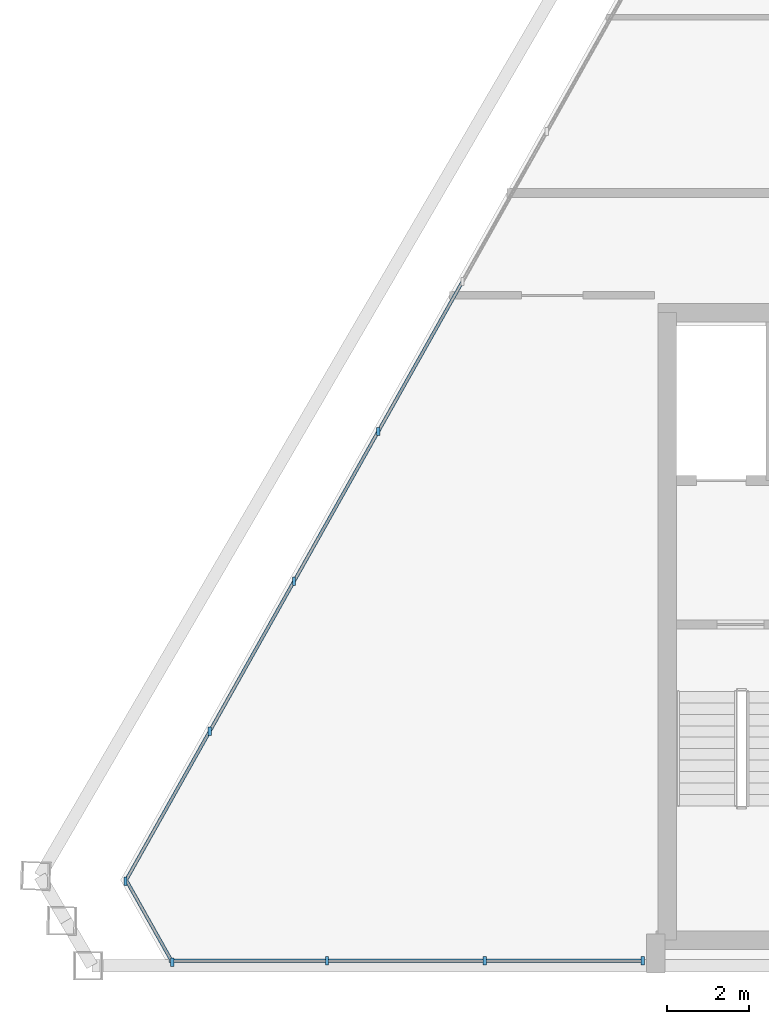
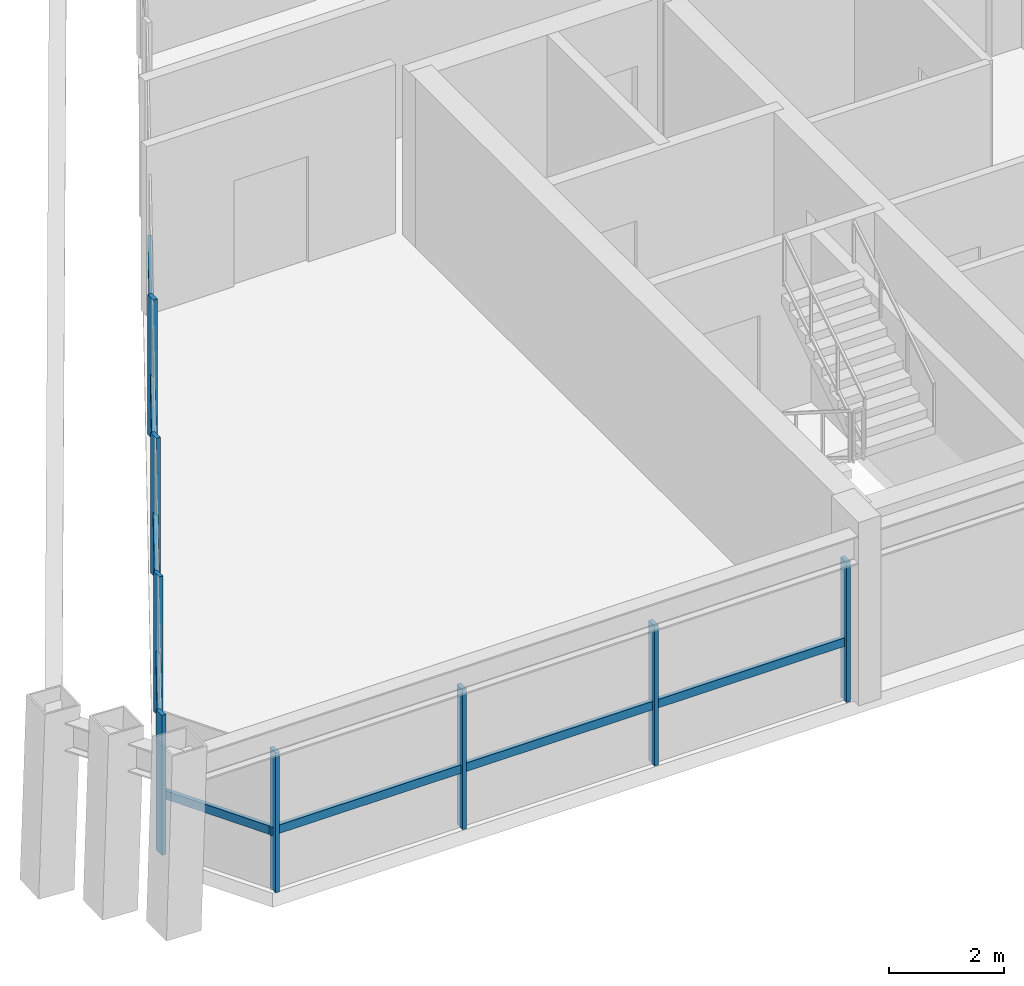
# One storey, part 2 of 12: 16 members, 3 elements without a shape of their own.
"""IFC4 building model written with IfcOpenShell, lengths in metres."""

from ifc_helpers import new_model, si_unit, direction, frame, origin, origin_2d, place, context, subcontext, project, spatial, rectangle, extrude, source, transform, mapped, material, material_profile, profile_set, type_object, type_shapes, element, aggregate, save


model = new_model("IFC4")

# Units and contexts
model_context = context("Model", 3, precision=1e-05, world=origin(), true_north=direction((0.0, 1.0)))
body_context = subcontext(model_context, "Body", "Model", "MODEL_VIEW")
ifc_project = project(units=[si_unit("LENGTHUNIT", "METRE"), si_unit("AREAUNIT", "SQUARE_METRE"), si_unit("VOLUMEUNIT", "CUBIC_METRE"), si_unit("PLANEANGLEUNIT", "RADIAN"), si_unit("MASSUNIT", "GRAM", prefix="KILO")], contexts=[model_context])

# Site, building, storey
site_placement = place(None, origin())
site = spatial("IfcSite", under=ifc_project, at=site_placement, CompositionType="ELEMENT")
building_placement = place(site_placement, origin())
building = spatial("IfcBuilding", under=site, at=building_placement, Name="Varnakhor Terracotta Tower", CompositionType="ELEMENT")
storey_placement = place(building_placement, frame((0.0, 0.0, 325.300048828125)))
storey = spatial("IfcBuildingStorey", under=building, at=storey_placement, Name="L85 Crown", CompositionType="ELEMENT", Elevation=325.300048828125)

# Curtain wall, members
ifc_material_1 = material(Name="Anodised Aluminium Curtain Wall System", Category="aluminium")
curtain_wall_type = type_object("IfcCurtainWallType", Name="CW-SYS-CROWN", PredefinedType="NOTDEFINED", material=ifc_material_1)
curtain_wall_1_placement = place(storey_placement, origin())
curtain_wall_1 = element("IfcCurtainWall", 1, at=curtain_wall_1_placement, inside=storey, type_object=curtain_wall_type, Name="L85 Crown Facet Curtain Wall 1", PredefinedType="NOTDEFINED")
ifc_material_2 = material(Name="Anodised Aluminium 6063-T6", Category="aluminium")
ifc_material_profile_1 = material_profile(ifc_material_2, rectangle(XDim=0.080078125, YDim=0.205078125, at=origin_2d()), Name="ALU MULLION 80x205")
ifc_profile_set_1 = profile_set([ifc_material_profile_1], Name="Anodised Aluminium 6063-T6")
member_type_1 = type_object("IfcMemberType", Name="CWM-06", PredefinedType="MULLION", material=ifc_profile_set_1)
shared_shape_1 = source(origin(), body_context, "Body", "SweptSolid", [
    extrude(rectangle(XDim=0.080078125, YDim=0.205078125, at=origin_2d()), origin(), (0.0, 0.0, 1.0), 2.97998046875),
])
type_shapes(member_type_1, [shared_shape_1])
member_1_placement = place(storey_placement, frame((-23.626708984375, 2.062744140625, 0.0), z_axis=(0.0, 0.0, 1.0), x_axis=(1.0, 0.0, 0.0)))
member_1 = element("IfcMember", 2, at=member_1_placement, type_object=member_type_1, Name="L85 Crown Facet Curtain Wall 1 Mullion 1", PredefinedType="MULLION", context=body_context, shape_type="MappedRepresentation", body=[
    mapped(shared_shape_1, transform((0.0, 0.0, 0.0), scale=1.0)),
])
member_2_placement = place(storey_placement, frame((-21.564697265625, 5.731689453125, 0.0), z_axis=(0.0, 0.0, 1.0), x_axis=(1.0, 0.0, 0.0)))
member_2 = element("IfcMember", 3, at=member_2_placement, type_object=member_type_1, Name="L85 Crown Facet Curtain Wall 1 Mullion 2", PredefinedType="MULLION", context=body_context, shape_type="MappedRepresentation", body=[
    mapped(shared_shape_1, transform((0.0, 0.0, 0.0), scale=1.0)),
])
member_3_placement = place(storey_placement, frame((-19.502685546875, 9.400634765625, 0.0), z_axis=(0.0, 0.0, 1.0), x_axis=(1.0, 0.0, 0.0)))
member_3 = element("IfcMember", 4, at=member_3_placement, type_object=member_type_1, Name="L85 Crown Facet Curtain Wall 1 Mullion 3", PredefinedType="MULLION", context=body_context, shape_type="MappedRepresentation", body=[
    mapped(shared_shape_1, transform((0.0, 0.0, 0.0), scale=1.0)),
])
member_4_placement = place(storey_placement, frame((-17.4404296875, 13.069580078125, 0.0), z_axis=(0.0, 0.0, 1.0), x_axis=(1.0, 0.0, 0.0)))
member_4 = element("IfcMember", 5, at=member_4_placement, type_object=member_type_1, Name="L85 Crown Facet Curtain Wall 1 Mullion 4", PredefinedType="MULLION", context=body_context, shape_type="MappedRepresentation", body=[
    mapped(shared_shape_1, transform((0.0, 0.0, 0.0), scale=1.0)),
])

curtain_wall_2_placement = place(storey_placement, origin())
curtain_wall_2 = element("IfcCurtainWall", 6, at=curtain_wall_2_placement, inside=storey, type_object=curtain_wall_type, Name="L85 Crown South Wing Curtain Wall SSW", PredefinedType="NOTDEFINED")
member_5_placement = place(storey_placement, frame((-10.969970703125, 0.1201171875, 0.0), z_axis=(0.0, 0.0, 1.0), x_axis=(1.0, 0.0, 0.0)))
member_5 = element("IfcMember", 7, at=member_5_placement, type_object=member_type_1, Name="L85 Crown South Wing Curtain Wall SSW Mullion 1", PredefinedType="MULLION", context=body_context, shape_type="MappedRepresentation", body=[
    mapped(shared_shape_1, transform((0.0, 0.0, 0.0), scale=1.0)),
])
member_6_placement = place(storey_placement, frame((-14.832763671875, 0.1201171875, 0.0), z_axis=(0.0, 0.0, 1.0), x_axis=(1.0, 0.0, 0.0)))
member_6 = element("IfcMember", 8, at=member_6_placement, type_object=member_type_1, Name="L85 Crown South Wing Curtain Wall SSW Mullion 2", PredefinedType="MULLION", context=body_context, shape_type="MappedRepresentation", body=[
    mapped(shared_shape_1, transform((0.0, 0.0, 0.0), scale=1.0)),
])
member_7_placement = place(storey_placement, frame((-18.695556640625, 0.1201171875, 0.0), z_axis=(0.0, 0.0, 1.0), x_axis=(1.0, 0.0, 0.0)))
member_7 = element("IfcMember", 9, at=member_7_placement, type_object=member_type_1, Name="L85 Crown South Wing Curtain Wall SSW Mullion 3", PredefinedType="MULLION", context=body_context, shape_type="MappedRepresentation", body=[
    mapped(shared_shape_1, transform((0.0, 0.0, 0.0), scale=1.0)),
])

# Curtain wall, member
curtain_wall_3_placement = place(storey_placement, origin())
curtain_wall_3 = element("IfcCurtainWall", 10, at=curtain_wall_3_placement, inside=storey, type_object=curtain_wall_type, Name="L85 Crown Facet Curtain Wall 6", PredefinedType="NOTDEFINED")
member_8_placement = place(storey_placement, frame((-22.478515625, 0.0849609375, 0.0), z_axis=(0.0, 0.0, 1.0), x_axis=(1.0, 0.0, 0.0)))
member_8 = element("IfcMember", 11, at=member_8_placement, type_object=member_type_1, Name="L85 Crown Facet Curtain Wall 6 Mullion 1", PredefinedType="MULLION", context=body_context, shape_type="MappedRepresentation", body=[
    mapped(shared_shape_1, transform((0.0, 0.0, 0.0), scale=1.0)),
])

# Member
ifc_material_profile_2 = material_profile(ifc_material_2, rectangle(XDim=0.080078125, YDim=0.179931640625, at=origin_2d()), Name="ALU TRANSOM 80x180")
ifc_profile_set_2 = profile_set([ifc_material_profile_2], Name="Anodised Aluminium 6063-T6")
member_type_2 = type_object("IfcMemberType", Name="CWT-06", PredefinedType="USERDEFINED", material=ifc_profile_set_2)
shared_shape_2 = source(origin(), body_context, "Body", "SweptSolid", [
    extrude(rectangle(XDim=0.080078125, YDim=0.179931640625, at=origin_2d()), origin(), (0.0, 0.0, 1.0), 4.208740234375),
])
member_9_placement = place(storey_placement, frame((-23.626708984375, 2.062744140625, 1.25146484375), z_axis=(0.489941728353, 0.87175518514, 0.0), x_axis=(-0.87175518514, 0.489941728353, 0.0)))
member_9 = element("IfcMember", 12, at=member_9_placement, type_object=member_type_2, Name="L85 Crown Facet Curtain Wall 1 Transom 1", ObjectType="TRANSOM", PredefinedType="USERDEFINED", context=body_context, shape_type="MappedRepresentation", body=[
    mapped(shared_shape_2, transform((0.0, 0.0, 0.0), scale=1.0)),
])

member_10_placement = place(storey_placement, frame((-21.564697265625, 5.731689453125, 1.25146484375), z_axis=(0.489941728353, 0.87175518514, 0.0), x_axis=(-0.87175518514, 0.489941728353, 0.0)))
member_10 = element("IfcMember", 13, at=member_10_placement, type_object=member_type_2, Name="L85 Crown Facet Curtain Wall 1 Transom 2", ObjectType="TRANSOM", PredefinedType="USERDEFINED", context=body_context, shape_type="MappedRepresentation", body=[
    mapped(shared_shape_2, transform((0.0, 0.0, 0.0), scale=1.0)),
])

member_11_placement = place(storey_placement, frame((-19.502685546875, 9.400634765625, 1.25146484375), z_axis=(0.48998581062, 0.871730408665, 0.0), x_axis=(-0.871730408665, 0.48998581062, 0.0)))
member_11 = element("IfcMember", 14, at=member_11_placement, type_object=member_type_2, Name="L85 Crown Facet Curtain Wall 1 Transom 3", ObjectType="TRANSOM", PredefinedType="USERDEFINED", context=body_context, shape_type="MappedRepresentation", body=[
    mapped(shared_shape_2, transform((0.0, 0.0, 0.0), scale=1.0)),
])

member_12_placement = place(storey_placement, frame((-17.4404296875, 13.069580078125, 1.25146484375), z_axis=(0.489941728353, 0.87175518514, 0.0), x_axis=(-0.87175518514, 0.489941728353, 0.0)))
member_12 = element("IfcMember", 15, at=member_12_placement, type_object=member_type_2, Name="L85 Crown Facet Curtain Wall 1 Transom 4", ObjectType="TRANSOM", PredefinedType="USERDEFINED", context=body_context, shape_type="MappedRepresentation", body=[
    mapped(shared_shape_2, transform((0.0, 0.0, 0.0), scale=1.0)),
])

aggregate(curtain_wall_1, [member_1, member_9, member_2, member_10, member_3, member_11, member_4, member_12])

shared_shape_3 = source(origin(), body_context, "Body", "SweptSolid", [
    extrude(rectangle(XDim=0.080078125, YDim=0.179931640625, at=origin_2d()), origin(), (0.0, 0.0, 1.0), 3.86279296875),
])
member_13_placement = place(storey_placement, frame((-10.969970703125, 0.1201171875, 1.25146484375), z_axis=(-1.0, 0.0, 0.0), x_axis=(0.0, -1.0, 0.0)))
member_13 = element("IfcMember", 16, at=member_13_placement, type_object=member_type_2, Name="L85 Crown South Wing Curtain Wall SSW Transom 1", ObjectType="TRANSOM", PredefinedType="USERDEFINED", context=body_context, shape_type="MappedRepresentation", body=[
    mapped(shared_shape_3, transform((0.0, 0.0, 0.0), scale=1.0)),
])

member_14_placement = place(storey_placement, frame((-14.832763671875, 0.1201171875, 1.25146484375), z_axis=(-1.0, 0.0, 0.0), x_axis=(0.0, -1.0, 0.0)))
member_14 = element("IfcMember", 17, at=member_14_placement, type_object=member_type_2, Name="L85 Crown South Wing Curtain Wall SSW Transom 2", ObjectType="TRANSOM", PredefinedType="USERDEFINED", context=body_context, shape_type="MappedRepresentation", body=[
    mapped(shared_shape_3, transform((0.0, 0.0, 0.0), scale=1.0)),
])

member_15_placement = place(storey_placement, frame((-18.695556640625, 0.1201171875, 1.25146484375), z_axis=(-1.0, 0.0, 0.0), x_axis=(0.0, -1.0, 0.0)))
member_15 = element("IfcMember", 18, at=member_15_placement, type_object=member_type_2, Name="L85 Crown South Wing Curtain Wall SSW Transom 3", ObjectType="TRANSOM", PredefinedType="USERDEFINED", context=body_context, shape_type="MappedRepresentation", body=[
    mapped(shared_shape_3, transform((0.0, 0.0, 0.0), scale=1.0)),
])

aggregate(curtain_wall_2, [member_5, member_13, member_6, member_14, member_7, member_15])

shared_shape_4 = source(origin(), body_context, "Body", "SweptSolid", [
    extrude(rectangle(XDim=0.080078125, YDim=0.179931640625, at=origin_2d()), origin(), (0.0, 0.0, 1.0), 2.343505859375),
])
member_16_placement = place(storey_placement, frame((-22.478515625, 0.0849609375, 1.25146484375), z_axis=(-0.489944657454, 0.871753538927, 0.0), x_axis=(-0.871753538927, -0.489944657454, 0.0)))
member_16 = element("IfcMember", 19, at=member_16_placement, type_object=member_type_2, Name="L85 Crown Facet Curtain Wall 6 Transom 1", ObjectType="TRANSOM", PredefinedType="USERDEFINED", context=body_context, shape_type="MappedRepresentation", body=[
    mapped(shared_shape_4, transform((0.0, 0.0, 0.0), scale=1.0)),
])

aggregate(curtain_wall_3, [member_8, member_16])

save(model, "model.ifc")
